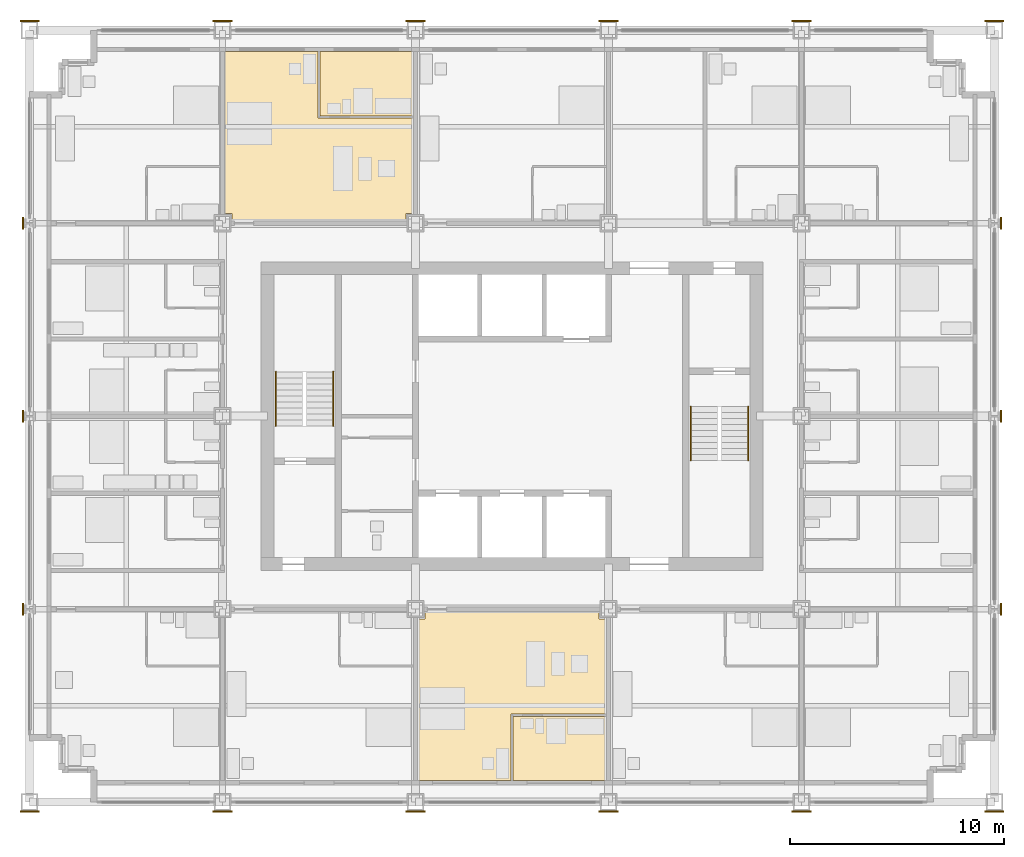
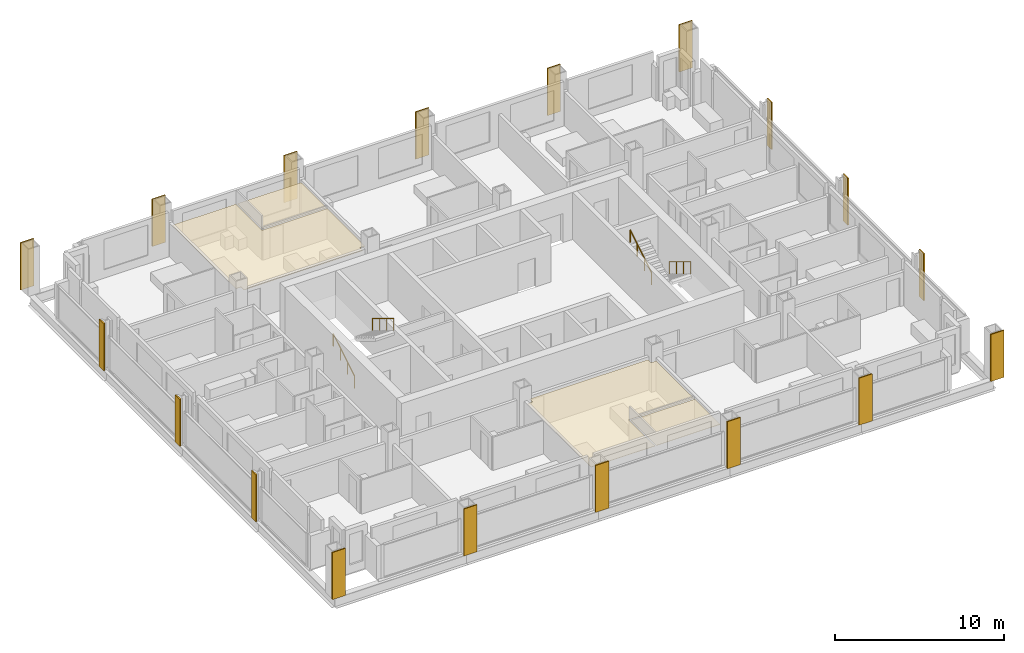
# One storey, part 14 of 16: 22 coverings, 4 railings.
"""IFC4 building model written with IfcOpenShell, lengths in metres."""

from ifc_helpers import new_model, si_unit, direction, frame, origin, origin_2d, place, context, subcontext, project, spatial, polyline, rectangle, circle, outline, extrude, material, layer, layer_set, type_object, element, save


model = new_model("IFC4")

# Units and contexts
model_context = context("Model", 3, precision=1e-05, world=origin(), true_north=direction((0.0, 1.0)))
body_context = subcontext(model_context, "Body", "Model", "MODEL_VIEW")
ifc_project = project(units=[si_unit("LENGTHUNIT", "METRE"), si_unit("AREAUNIT", "SQUARE_METRE"), si_unit("VOLUMEUNIT", "CUBIC_METRE"), si_unit("PLANEANGLEUNIT", "RADIAN"), si_unit("MASSUNIT", "GRAM", prefix="KILO")], contexts=[model_context])

# Site, building, storey
site_placement = place(None, origin())
site = spatial("IfcSite", under=ifc_project, at=site_placement, CompositionType="ELEMENT")
building_placement = place(site_placement, origin())
building = spatial("IfcBuilding", under=site, at=building_placement, Name="Loomwork Tower", CompositionType="ELEMENT")
storey_placement = place(building_placement, frame((0.0, 0.0, 114.60009765625)))
storey = spatial("IfcBuildingStorey", under=building, at=storey_placement, Name="L30", CompositionType="ELEMENT", Elevation=114.60009765625)

# Railings
ifc_material_1 = material(Name="Stainless steel handrail", Category="steel")
railing_type = type_object("IfcRailingType", Name="Handrail 900", PredefinedType="HANDRAIL", material=ifc_material_1)
railing_1_placement = place(storey_placement, frame((11.485107421875, 17.550048828125, 0.169921875)))
element("IfcRailing", 1, at=railing_1_placement, inside=storey, type_object=railing_type, Name="Stair A handrail flight 1 L30", PredefinedType="HANDRAIL", context=body_context, shape_type="SweptSolid", body=[
    extrude(circle(Radius=0.02392578125, at=origin_2d()), frame((0.0, 0.0, 0.8759765625), z_axis=(0.0, 0.85478489116, 0.518982456201), x_axis=(-1.0, 0.0, 0.0)), (0.0, 0.0, 1.0), 2.9482421875),
    extrude(circle(Radius=0.02099609375, at=origin_2d()), origin(), (0.0, 0.0, 1.0), 0.851806640625),
    extrude(circle(Radius=0.02099609375, at=origin_2d()), frame((0.0, 0.840087890625, 0.510009765625)), (0.0, 0.0, 1.0), 0.851806640625),
    extrude(circle(Radius=0.02099609375, at=origin_2d()), frame((0.0, 1.679931640625, 1.02001953125)), (0.0, 0.0, 1.0), 0.851806640625),
    extrude(circle(Radius=0.02099609375, at=origin_2d()), frame((0.0, 2.52001953125, 1.530029296875)), (0.0, 0.0, 1.0), 0.851806640625),
])
for number, where, name in (
    (2, (14.1650390625, 20.070068359375, 1.869873046875), "Stair A handrail flight 2 L30"),
    (3, (33.514892578125, 18.449951171875, 0.169921875), "Stair B handrail flight 1 L30"),
):
    element("IfcRailing", number, at=place(storey_placement, frame(where)), inside=storey, type_object=railing_type, Name=name, PredefinedType="HANDRAIL", context=body_context, shape_type="SweptSolid", body=[
        extrude(circle(Radius=0.02392578125, at=origin_2d()), frame((0.0, 0.0, 0.8759765625), z_axis=(0.0, -0.85478489116, 0.518982456201), x_axis=(1.0, 0.0, 0.0)), (0.0, 0.0, 1.0), 2.9482421875),
        extrude(circle(Radius=0.02099609375, at=origin_2d()), origin(), (0.0, 0.0, 1.0), 0.851806640625),
        extrude(circle(Radius=0.02099609375, at=origin_2d()), frame((0.0, -0.840087890625, 0.510009765625)), (0.0, 0.0, 1.0), 0.851806640625),
        extrude(circle(Radius=0.02099609375, at=origin_2d()), frame((0.0, -1.679931640625, 1.02001953125)), (0.0, 0.0, 1.0), 0.851806640625),
        extrude(circle(Radius=0.02099609375, at=origin_2d()), frame((0.0, -2.52001953125, 1.530029296875)), (0.0, 0.0, 1.0), 0.851806640625),
    ])
railing_2_placement = place(storey_placement, frame((30.8349609375, 15.929931640625, 1.869873046875)))
element("IfcRailing", 4, at=railing_2_placement, inside=storey, type_object=railing_type, Name="Stair B handrail flight 2 L30", PredefinedType="HANDRAIL", context=body_context, shape_type="SweptSolid", body=[
    extrude(circle(Radius=0.02392578125, at=origin_2d()), frame((0.0, 0.0, 0.8759765625), z_axis=(0.0, 0.85478489116, 0.518982456201), x_axis=(-1.0, 0.0, 0.0)), (0.0, 0.0, 1.0), 2.9482421875),
    extrude(circle(Radius=0.02099609375, at=origin_2d()), origin(), (0.0, 0.0, 1.0), 0.851806640625),
    extrude(circle(Radius=0.02099609375, at=origin_2d()), frame((0.0, 0.840087890625, 0.510009765625)), (0.0, 0.0, 1.0), 0.851806640625),
    extrude(circle(Radius=0.02099609375, at=origin_2d()), frame((0.0, 1.679931640625, 1.02001953125)), (0.0, 0.0, 1.0), 0.851806640625),
    extrude(circle(Radius=0.02099609375, at=origin_2d()), frame((0.0, 2.52001953125, 1.530029296875)), (0.0, 0.0, 1.0), 0.851806640625),
])

# Coverings
ifc_material_2 = material(Name="Limestone", Category="masonry")
ifc_layer_1 = layer(ifc_material_2, 0.080078125)
ifc_layer_set_1 = layer_set([ifc_layer_1], Name="Limestone pier facing 80")
covering_type_1 = type_object("IfcCoveringType", Name="Limestone pier facing 80", PredefinedType="CLADDING", material=ifc_layer_set_1)
covering_1_placement = place(storey_placement, frame((0.0, -0.43994140625, 0.0), z_axis=(0.0, 0.0, 1.0), x_axis=(1.0, 0.0, 0.0)))
element("IfcCovering", 5, at=covering_1_placement, inside=storey, type_object=covering_type_1, Name="Pier facing D/2 L30", PredefinedType="CLADDING", context=body_context, shape_type="SweptSolid", body=[
    extrude(rectangle(XDim=0.89990234375, YDim=0.080078125, at=origin_2d()), origin(), (0.0, 0.0, 1.0), 3.39990234375),
])
for number, where, z_axis, x_axis, name in (
    (6, (-0.314208984375, 9.0, 0.0), (0.0, 0.0, 1.0), (1.0, 0.0, 0.0), "Pier facing E/2 L30"),
    (7, (-0.314208984375, 18.0, 0.0), (0.0, 0.0, 1.0), (1.0, 0.0, 0.0), "Pier facing F/2 L30"),
    (8, (-0.314208984375, 27.0, 0.0), (0.0, 0.0, 1.0), (1.0, 0.0, 0.0), "Pier facing G/2 L30"),
):
    element("IfcCovering", number, at=place(storey_placement, frame(where, z_axis=z_axis, x_axis=x_axis)), inside=storey, type_object=covering_type_1, Name=name, PredefinedType="CLADDING", context=body_context, shape_type="SweptSolid", body=[
        extrude(rectangle(XDim=0.080078125, YDim=0.549560546875, at=origin_2d()), origin(), (0.0, 0.0, 1.0), 3.39990234375),
    ])
for number, where, z_axis, x_axis, name in (
    (9, (0.0, 36.43994140625, 0.0), (0.0, 0.0, 1.0), (1.0, 0.0, 0.0), "Pier facing H/2 L30"),
    (10, (9.0, -0.43994140625, 0.0), (0.0, 0.0, 1.0), (1.0, 0.0, 0.0), "Pier facing D/3 L30"),
    (11, (9.0, 36.43994140625, 0.0), (0.0, 0.0, 1.0), (1.0, 0.0, 0.0), "Pier facing H/3 L30"),
    (12, (18.0, -0.43994140625, 0.0), (0.0, 0.0, 1.0), (1.0, 0.0, 0.0), "Pier facing D/4 L30"),
    (13, (18.0, 36.43994140625, 0.0), (0.0, 0.0, 1.0), (1.0, 0.0, 0.0), "Pier facing H/4 L30"),
    (14, (27.0, -0.43994140625, 0.0), (0.0, 0.0, 1.0), (1.0, 0.0, 0.0), "Pier facing D/5 L30"),
    (15, (27.0, 36.43994140625, 0.0), (0.0, 0.0, 1.0), (1.0, 0.0, 0.0), "Pier facing H/5 L30"),
    (16, (36.0, -0.43994140625, 0.0), (0.0, 0.0, 1.0), (1.0, 0.0, 0.0), "Pier facing D/6 L30"),
    (17, (36.0, 36.43994140625, 0.0), (0.0, 0.0, 1.0), (1.0, 0.0, 0.0), "Pier facing H/6 L30"),
    (18, (45.0, -0.43994140625, 0.0), (0.0, 0.0, 1.0), (1.0, 0.0, 0.0), "Pier facing D/7 L30"),
):
    element("IfcCovering", number, at=place(storey_placement, frame(where, z_axis=z_axis, x_axis=x_axis)), inside=storey, type_object=covering_type_1, Name=name, PredefinedType="CLADDING", context=body_context, shape_type="SweptSolid", body=[
        extrude(rectangle(XDim=0.89990234375, YDim=0.080078125, at=origin_2d()), origin(), (0.0, 0.0, 1.0), 3.39990234375),
    ])
for number, where, z_axis, x_axis, name in (
    (19, (45.314208984375, 9.0, 0.0), (0.0, 0.0, 1.0), (1.0, 0.0, 0.0), "Pier facing E/7 L30"),
    (20, (45.314208984375, 18.0, 0.0), (0.0, 0.0, 1.0), (1.0, 0.0, 0.0), "Pier facing F/7 L30"),
    (21, (45.314208984375, 27.0, 0.0), (0.0, 0.0, 1.0), (1.0, 0.0, 0.0), "Pier facing G/7 L30"),
):
    element("IfcCovering", number, at=place(storey_placement, frame(where, z_axis=z_axis, x_axis=x_axis)), inside=storey, type_object=covering_type_1, Name=name, PredefinedType="CLADDING", context=body_context, shape_type="SweptSolid", body=[
        extrude(rectangle(XDim=0.080078125, YDim=0.549560546875, at=origin_2d()), origin(), (0.0, 0.0, 1.0), 3.39990234375),
    ])
covering_2_placement = place(storey_placement, frame((45.0, 36.43994140625, 0.0), z_axis=(0.0, 0.0, 1.0), x_axis=(1.0, 0.0, 0.0)))
element("IfcCovering", 22, at=covering_2_placement, inside=storey, type_object=covering_type_1, Name="Pier facing H/7 L30", PredefinedType="CLADDING", context=body_context, shape_type="SweptSolid", body=[
    extrude(rectangle(XDim=0.89990234375, YDim=0.080078125, at=origin_2d()), origin(), (0.0, 0.0, 1.0), 3.39990234375),
])
ifc_material_3 = material(Name="Mineral fibre acoustic tile on suspension grid")
ifc_layer_2 = layer(ifc_material_3, 0.02490234375)
ifc_layer_set_2 = layer_set([ifc_layer_2], Name="Suspended acoustic ceiling")
covering_type_2 = type_object("IfcCoveringType", Name="Suspended acoustic ceiling", PredefinedType="CEILING", material=ifc_layer_set_2)
covering_3_placement = place(storey_placement, frame((0.0, 0.0, 2.1748046875)))
element("IfcCovering", 23, at=covering_3_placement, inside=storey, type_object=covering_type_2, Name="Ceiling Spa bathroom L30", PredefinedType="CEILING", context=body_context, shape_type="SweptSolid", body=[
    extrude(outline(polyline([(26.89990234375, 4.0), (26.89990234375, 1.0), (22.550048828125, 1.0), (22.550048828125, 4.0), (26.89990234375, 4.0)])), origin(), (0.0, 0.0, 1.0), 0.025146484375),
])
covering_4_placement = place(storey_placement, frame((0.0, 0.0, 2.1748046875)))
element("IfcCovering", 24, at=covering_4_placement, inside=storey, type_object=covering_type_2, Name="Ceiling Spa suite L30", PredefinedType="CEILING", context=body_context, shape_type="SweptSolid", body=[
    extrude(outline(polyline([(26.550048828125, 8.89990234375), (26.550048828125, 8.550048828125), (26.89990234375, 8.550048828125), (26.89990234375, 4.10009765625), (22.449951171875, 4.10009765625), (22.449951171875, 1.0), (18.10009765625, 1.0), (18.10009765625, 8.550048828125), (18.449951171875, 8.550048828125), (18.449951171875, 8.89990234375), (26.550048828125, 8.89990234375)])), origin(), (0.0, 0.0, 1.0), 0.025146484375),
])
covering_5_placement = place(storey_placement, frame((0.0, 0.0, 2.1748046875)))
element("IfcCovering", 25, at=covering_5_placement, inside=storey, type_object=covering_type_2, Name="Ceiling Spa bathroom L30", PredefinedType="CEILING", context=body_context, shape_type="SweptSolid", body=[
    extrude(outline(polyline([(13.550048828125, 35.0), (17.89990234375, 35.0), (17.89990234375, 32.0), (13.550048828125, 32.0), (13.550048828125, 35.0)])), origin(), (0.0, 0.0, 1.0), 0.025146484375),
])
covering_6_placement = place(storey_placement, frame((0.0, 0.0, 2.1748046875)))
element("IfcCovering", 26, at=covering_6_placement, inside=storey, type_object=covering_type_2, Name="Ceiling Spa suite L30", PredefinedType="CEILING", context=body_context, shape_type="SweptSolid", body=[
    extrude(outline(polyline([(9.10009765625, 35.0), (13.449951171875, 35.0), (13.449951171875, 31.89990234375), (17.89990234375, 31.89990234375), (17.89990234375, 27.449951171875), (17.550048828125, 27.449951171875), (17.550048828125, 27.10009765625), (9.449951171875, 27.10009765625), (9.449951171875, 27.449951171875), (9.10009765625, 27.449951171875), (9.10009765625, 35.0)])), origin(), (0.0, 0.0, 1.0), 0.025146484375),
])

save(model, "model.ifc")
